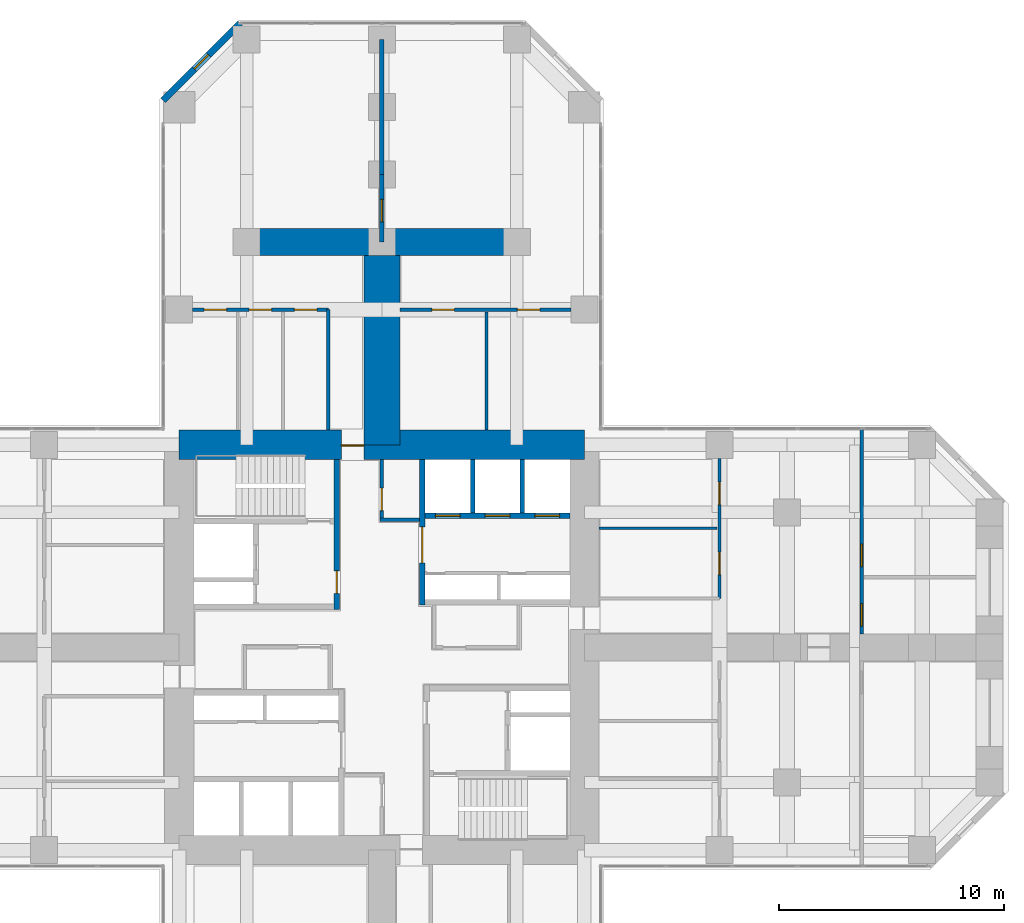
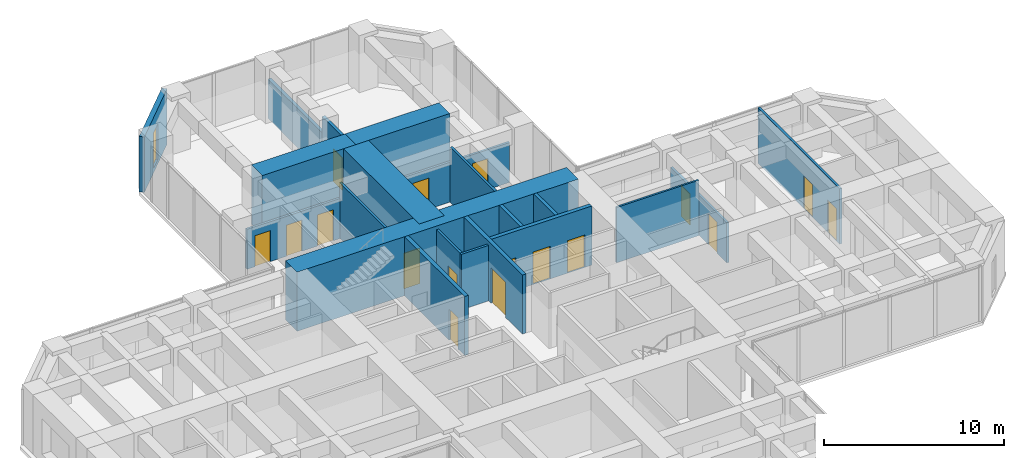
# One storey, part 11 of 13: 21 walls, 17 doors, 1 window, 18 openings.
"""IFC4 building model written with IfcOpenShell, lengths in metres."""

from ifc_helpers import new_model, si_unit, direction, frame, frame_2d, origin, place, context, subcontext, project, spatial, rectangle, hollow_rectangle, extrude, material, layer, layer_set, constituent, constituent_set, type_object, element, fill, save


model = new_model("IFC4")

# Units and contexts
model_context = context("Model", 3, precision=1e-05, world=origin(), true_north=direction((0.0, 1.0)))
body_context = subcontext(model_context, "Body", "Model", "MODEL_VIEW")
ifc_project = project(units=[si_unit("LENGTHUNIT", "METRE"), si_unit("AREAUNIT", "SQUARE_METRE"), si_unit("VOLUMEUNIT", "CUBIC_METRE"), si_unit("PLANEANGLEUNIT", "RADIAN"), si_unit("MASSUNIT", "GRAM", prefix="KILO")], contexts=[model_context])

# Site, building, storey
site_placement = place(None, origin())
site = spatial("IfcSite", under=ifc_project, at=site_placement, CompositionType="ELEMENT")
building_placement = place(site_placement, origin())
building = spatial("IfcBuilding", under=site, at=building_placement, Name="Torre Cruceta", CompositionType="ELEMENT")
storey_placement = place(building_placement, frame((0.0, 0.0, 91.5)))
storey = spatial("IfcBuildingStorey", under=building, at=storey_placement, Name="L22", CompositionType="ELEMENT", Elevation=91.5)

# Wall, opening, door
ifc_material_1 = material(Name="Concrete G60 (fck 60 MPa)", Category="concrete")
ifc_layer_1 = layer(ifc_material_1, 0.25)
ifc_layer_set_1 = layer_set([ifc_layer_1], Name="Concrete G60 (fck 60 MPa)")
wall_type_1 = type_object("IfcWallType", Name="CORE INNER WALL 250 G60", PredefinedType="SHEAR", material=ifc_layer_set_1)
wall_1_placement = place(storey_placement, frame((1.800048828125, 1.875, 0.0), z_axis=(0.0, 0.0, 1.0), x_axis=(0.0, 1.0, 0.0)))
wall_1 = element("IfcWall", 1, at=wall_1_placement, inside=storey, type_object=wall_type_1, Name="CW4 L22 NE-CU", PredefinedType="SHEAR", context=body_context, shape_type="SweptSolid", body=[
    extrude(rectangle(XDim=6.47509765625, YDim=0.25, at=frame_2d((3.237548828125, 0.0))), origin(), (0.0, 0.0, 1.0), 4.0),
])
opening_1_placement = place(wall_1_placement, frame((1.875, 0.0, 0.0)))
opening_1 = element("IfcOpeningElement", 2, at=opening_1_placement, cuts=wall_1, Name="Opening D8", PredefinedType="OPENING", context=body_context, shape_type="SweptSolid", body=[
    extrude(rectangle(XDim=1.60009765625, YDim=2.39990234375, at=frame_2d((0.800048828125, 1.199951171875))), frame((0.0, 0.135009765625, 0.0), z_axis=(0.0, -1.0, 0.0), x_axis=(1.0, 0.0, 0.0)), (0.0, 0.0, 1.0), 0.27001953125),
])
ifc_material_2 = material(Name="Steel DX51D", Category="steel")
ifc_constituent_1 = constituent(ifc_material_2, Name="Leaf and frame")
ifc_material_3 = material(Name="Polyester powder coating", Category="paint")
ifc_constituent_2 = constituent(ifc_material_3, Name="Finish")
ifc_material_4 = material(Name="Fire-resisting glass", Category="glass")
ifc_constituent_3 = constituent(ifc_material_4, Name="Vision panel")
ifc_constituent_set_1 = constituent_set(constituents=[ifc_constituent_1, ifc_constituent_2, ifc_constituent_3], Name="Steel fire door with vision panels")
door_type_1 = type_object("IfcDoorType", Name="LIFT LOBBY DOUBLE DOOR 1600X2400", OperationType="DOUBLE_DOOR_DOUBLE_SWING", PredefinedType="DOOR", material=ifc_constituent_set_1)
door_1_placement = place(opening_1_placement, origin())
door_1 = element("IfcDoor", 3, at=door_1_placement, inside=storey, type_object=door_type_1, Name="D8 L22 NE-LOBBY", OperationType="DOUBLE_DOOR_DOUBLE_SWING", OverallHeight=2.39990234375, OverallWidth=1.60009765625, PredefinedType="DOOR", context=body_context, shape_type="SweptSolid", body=[
    extrude(rectangle(XDim=1.60009765625, YDim=2.39990234375, at=frame_2d((0.800048828125, 1.199951171875))), frame((0.0, 0.02490234375, 0.0), z_axis=(0.0, -1.0, 0.0), x_axis=(1.0, 0.0, 0.0)), (0.0, 0.0, 1.0), 0.050048828125),
])
fill(opening_1, door_1)

# Wall, openings, doors
wall_2_placement = place(storey_placement, frame((1.925048828125, 5.85009765625, 0.0), z_axis=(0.0, 0.0, 1.0), x_axis=(1.0, 0.0, 0.0)))
wall_2 = element("IfcWall", 4, at=wall_2_placement, inside=storey, type_object=wall_type_1, Name="CW4 L22 NE-LV", PredefinedType="SHEAR", context=body_context, shape_type="SweptSolid", body=[
    extrude(rectangle(XDim=6.425048828125, YDim=0.25, at=frame_2d((3.21240234375, 0.0))), origin(), (0.0, 0.0, 1.0), 4.0),
])
opening_2_placement = place(wall_2_placement, frame((0.4541015625, 0.0, 0.0)))
opening_2 = element("IfcOpeningElement", 5, at=opening_2_placement, cuts=wall_2, Name="Opening LD1", PredefinedType="OPENING", context=body_context, shape_type="SweptSolid", body=[
    extrude(rectangle(XDim=1.10009765625, YDim=2.199951171875, at=frame_2d((0.550048828125, 1.10009765625))), frame((0.0, 0.135009765625, 0.0), z_axis=(0.0, -1.0, 0.0), x_axis=(1.0, 0.0, 0.0)), (0.0, 0.0, 1.0), 0.27001953125),
])
opening_3_placement = place(wall_2_placement, frame((2.66259765625, 0.0, 0.0)))
opening_3 = element("IfcOpeningElement", 6, at=opening_3_placement, cuts=wall_2, Name="Opening LD1", PredefinedType="OPENING", context=body_context, shape_type="SweptSolid", body=[
    extrude(rectangle(XDim=1.10009765625, YDim=2.199951171875, at=frame_2d((0.550048828125, 1.10009765625))), frame((0.0, 0.135009765625, 0.0), z_axis=(0.0, -1.0, 0.0), x_axis=(1.0, 0.0, 0.0)), (0.0, 0.0, 1.0), 0.27001953125),
])
opening_4_placement = place(wall_2_placement, frame((4.870849609375, 0.0, 0.0)))
opening_4 = element("IfcOpeningElement", 7, at=opening_4_placement, cuts=wall_2, Name="Opening LD1", PredefinedType="OPENING", context=body_context, shape_type="SweptSolid", body=[
    extrude(rectangle(XDim=1.10009765625, YDim=2.199951171875, at=frame_2d((0.550048828125, 1.10009765625))), frame((0.0, 0.135009765625, 0.0), z_axis=(0.0, -1.0, 0.0), x_axis=(1.0, 0.0, 0.0)), (0.0, 0.0, 1.0), 0.27001953125),
])
ifc_material_5 = material(Name="Stainless steel 1.4401", Category="steel")
door_type_2 = type_object("IfcDoorType", Name="LIFT LANDING DOOR 1100X2200", OperationType="DOUBLE_DOOR_SLIDING", PredefinedType="DOOR", material=ifc_material_5)
door_2_placement = place(opening_2_placement, origin())
door_2 = element("IfcDoor", 8, at=door_2_placement, inside=storey, type_object=door_type_2, Name="Lift landing door P1", OperationType="DOUBLE_DOOR_SLIDING", OverallHeight=2.199951171875, OverallWidth=1.10009765625, PredefinedType="DOOR", context=body_context, shape_type="SweptSolid", body=[
    extrude(rectangle(XDim=1.10009765625, YDim=2.199951171875, at=frame_2d((0.550048828125, 1.10009765625))), frame((0.0, 0.02490234375, 0.0), z_axis=(0.0, -1.0, 0.0), x_axis=(1.0, 0.0, 0.0)), (0.0, 0.0, 1.0), 0.050048828125),
])
fill(opening_2, door_2)
door_3_placement = place(opening_3_placement, origin())
door_3 = element("IfcDoor", 9, at=door_3_placement, inside=storey, type_object=door_type_2, Name="Lift landing door P2", OperationType="DOUBLE_DOOR_SLIDING", OverallHeight=2.199951171875, OverallWidth=1.10009765625, PredefinedType="DOOR", context=body_context, shape_type="SweptSolid", body=[
    extrude(rectangle(XDim=1.10009765625, YDim=2.199951171875, at=frame_2d((0.550048828125, 1.10009765625))), frame((0.0, 0.02490234375, 0.0), z_axis=(0.0, -1.0, 0.0), x_axis=(1.0, 0.0, 0.0)), (0.0, 0.0, 1.0), 0.050048828125),
])
fill(opening_3, door_3)
door_4_placement = place(opening_4_placement, origin())
door_4 = element("IfcDoor", 10, at=door_4_placement, inside=storey, type_object=door_type_2, Name="Lift landing door P3", OperationType="DOUBLE_DOOR_SLIDING", OverallHeight=2.199951171875, OverallWidth=1.10009765625, PredefinedType="DOOR", context=body_context, shape_type="SweptSolid", body=[
    extrude(rectangle(XDim=1.10009765625, YDim=2.199951171875, at=frame_2d((0.550048828125, 1.10009765625))), frame((0.0, 0.02490234375, 0.0), z_axis=(0.0, -1.0, 0.0), x_axis=(1.0, 0.0, 0.0)), (0.0, 0.0, 1.0), 0.050048828125),
])
fill(opening_4, door_4)

# Wall, opening, door
wall_3_placement = place(storey_placement, frame((-2.0, 1.675048828125, 0.0), z_axis=(0.0, 0.0, 1.0), x_axis=(0.0, 1.0, 0.0)))
wall_3 = element("IfcWall", 11, at=wall_3_placement, inside=storey, type_object=wall_type_1, Name="CW4 L22 NW-CU", PredefinedType="SHEAR", context=body_context, shape_type="SweptSolid", body=[
    extrude(rectangle(XDim=6.675048828125, YDim=0.25, at=frame_2d((3.33740234375, 0.0))), origin(), (0.0, 0.0, 1.0), 4.0),
])
opening_5_placement = place(wall_3_placement, frame((0.72509765625, 0.0, 0.0)))
opening_5 = element("IfcOpeningElement", 12, at=opening_5_placement, cuts=wall_3, Name="Opening D3", PredefinedType="OPENING", context=body_context, shape_type="SweptSolid", body=[
    extrude(rectangle(XDim=1.0, YDim=2.10009765625, at=frame_2d((0.5, 1.050048828125))), frame((0.0, 0.135009765625, 0.0), z_axis=(0.0, -1.0, 0.0), x_axis=(1.0, 0.0, 0.0)), (0.0, 0.0, 1.0), 0.27001953125),
])
ifc_material_6 = material(Name="Steel DX51D", Category="steel")
ifc_constituent_4 = constituent(ifc_material_6, Name="Leaf and frame")
ifc_material_7 = material(Name="Polyester powder coating", Category="paint")
ifc_constituent_5 = constituent(ifc_material_7, Name="Finish")
ifc_constituent_set_2 = constituent_set(constituents=[ifc_constituent_4, ifc_constituent_5], Name="Steel fire door")
door_type_3 = type_object("IfcDoorType", Name="FIRE DOOR 1000X2100", OperationType="SINGLE_SWING_LEFT", PredefinedType="DOOR", material=ifc_constituent_set_2)
door_5_placement = place(opening_5_placement, origin())
door_5 = element("IfcDoor", 13, at=door_5_placement, inside=storey, type_object=door_type_3, Name="D3 L22 NW-LOBBY", OperationType="SINGLE_SWING_LEFT", OverallHeight=2.10009765625, OverallWidth=1.0, PredefinedType="DOOR", context=body_context, shape_type="SweptSolid", body=[
    extrude(rectangle(XDim=1.0, YDim=2.10009765625, at=frame_2d((0.5, 1.050048828125))), frame((0.0, 0.02490234375, 0.0), z_axis=(0.0, -1.0, 0.0), x_axis=(1.0, 0.0, 0.0)), (0.0, 0.0, 1.0), 0.050048828125),
])
fill(opening_5, door_5)

ifc_material_8 = material(Name="Concrete G60 (fck 60 MPa)", Category="concrete")
ifc_layer_2 = layer(ifc_material_8, 1.300048828125)
ifc_layer_set_2 = layer_set([ifc_layer_2], Name="Concrete G60 (fck 60 MPa)")
wall_type_2 = type_object("IfcWallType", Name="CORE WALL 1300 G60", PredefinedType="SHEAR", material=ifc_layer_set_2)
wall_4_placement = place(storey_placement, frame((9.0, 9.0, 0.0), z_axis=(0.0, 0.0, 1.0), x_axis=(-1.0, 0.0, 0.0)))
wall_4 = element("IfcWall", 14, at=wall_4_placement, inside=storey, type_object=wall_type_2, Name="CW1 L22 CW-N", PredefinedType="SHEAR", context=body_context, shape_type="SweptSolid", body=[
    extrude(rectangle(XDim=18.0, YDim=1.300048828125, at=frame_2d((9.0, 0.0))), origin(), (0.0, 0.0, 1.0), 4.0),
])
opening_6_placement = place(wall_4_placement, frame((9.800048828125, 0.0, 0.0)))
opening_6 = element("IfcOpeningElement", 15, at=opening_6_placement, cuts=wall_4, Name="Opening D4", PredefinedType="OPENING", context=body_context, shape_type="SweptSolid", body=[
    extrude(rectangle(XDim=1.0, YDim=2.39990234375, at=frame_2d((0.5, 1.199951171875))), frame((0.0, 0.659912109375, 0.0), z_axis=(0.0, -1.0, 0.0), x_axis=(1.0, 0.0, 0.0)), (0.0, 0.0, 1.0), 1.320068359375),
])
ifc_material_9 = material(Name="Steel DX51D", Category="steel")
ifc_constituent_6 = constituent(ifc_material_9, Name="Leaf and frame")
ifc_material_10 = material(Name="Polyester powder coating", Category="paint")
ifc_constituent_7 = constituent(ifc_material_10, Name="Finish")
ifc_constituent_set_3 = constituent_set(constituents=[ifc_constituent_6, ifc_constituent_7], Name="Steel fire door")
door_type_4 = type_object("IfcDoorType", Name="CORE ARM DOOR 1000X2400", OperationType="SINGLE_SWING_RIGHT", PredefinedType="DOOR", material=ifc_constituent_set_3)
door_6_placement = place(opening_6_placement, frame((1.0, 0.0, 0.0), z_axis=(0.0, 0.0, 1.0), x_axis=(-1.0, 0.0, 0.0)))
door_6 = element("IfcDoor", 16, at=door_6_placement, inside=storey, type_object=door_type_4, Name="D4 L22 CW-N", OperationType="SINGLE_SWING_RIGHT", OverallHeight=2.39990234375, OverallWidth=1.0, PredefinedType="DOOR", context=body_context, shape_type="SweptSolid", body=[
    extrude(rectangle(XDim=1.0, YDim=2.39990234375, at=frame_2d((0.5, 1.199951171875))), frame((0.0, -0.005126953125, 0.0), z_axis=(0.0, -1.0, 0.0), x_axis=(1.0, 0.0, 0.0)), (0.0, 0.0, 1.0), 0.050048828125),
])
fill(opening_6, door_6)

ifc_material_11 = material(Name="Concrete G25 (fck 25 MPa)", Category="concrete")
ifc_layer_3 = layer(ifc_material_11, 0.199951171875)
ifc_layer_set_3 = layer_set([ifc_layer_3], Name="Concrete G25 (fck 25 MPa)")
wall_type_3 = type_object("IfcWallType", Name="CORRIDOR WALL 200", PredefinedType="SOLIDWALL", material=ifc_layer_set_3)
wall_5_placement = place(storey_placement, frame((0.0, 18.0, 0.0), z_axis=(0.0, 0.0, 1.0), x_axis=(0.0, 1.0, 0.0)))
wall_5 = element("IfcWall", 17, at=wall_5_placement, inside=storey, type_object=wall_type_3, Name="PT3 spine line L22 N", PredefinedType="SOLIDWALL", context=body_context, shape_type="SweptSolid", body=[
    extrude(rectangle(XDim=3.0, YDim=0.199951171875, at=frame_2d((1.5, 0.0))), origin(), (0.0, 0.0, 1.0), 3.75),
])
opening_7_placement = place(wall_5_placement, frame((0.89990234375, 0.0, 0.0)))
opening_7 = element("IfcOpeningElement", 18, at=opening_7_placement, cuts=wall_5, Name="Opening D14", PredefinedType="OPENING", context=body_context, shape_type="SweptSolid", body=[
    extrude(rectangle(XDim=1.0, YDim=2.199951171875, at=frame_2d((0.5, 1.10009765625))), frame((0.0, 0.10986328125, 0.0), z_axis=(0.0, -1.0, 0.0), x_axis=(1.0, 0.0, 0.0)), (0.0, 0.0, 1.0), 0.219970703125),
])
ifc_material_12 = material(Name="Steel DX51D", Category="steel")
ifc_constituent_8 = constituent(ifc_material_12, Name="Leaf and frame")
ifc_material_13 = material(Name="Polyester powder coating", Category="paint")
ifc_constituent_9 = constituent(ifc_material_13, Name="Finish")
ifc_material_14 = material(Name="Fire-resisting glass", Category="glass")
ifc_constituent_10 = constituent(ifc_material_14, Name="Vision panel")
ifc_constituent_set_4 = constituent_set(constituents=[ifc_constituent_8, ifc_constituent_9, ifc_constituent_10], Name="Steel fire door with vision panel")
door_type_5 = type_object("IfcDoorType", Name="FIRE DOOR VISION PANEL 1000X2200", OperationType="SINGLE_SWING_RIGHT", PredefinedType="DOOR", material=ifc_constituent_set_4)
door_7_placement = place(opening_7_placement, frame((1.0, 0.0, 0.0), z_axis=(0.0, 0.0, 1.0), x_axis=(-1.0, 0.0, 0.0)))
door_7 = element("IfcDoor", 19, at=door_7_placement, inside=storey, type_object=door_type_5, Name="D14 L22-N-SP1", OperationType="SINGLE_SWING_RIGHT", OverallHeight=2.199951171875, OverallWidth=1.0, PredefinedType="DOOR", context=body_context, shape_type="SweptSolid", body=[
    extrude(rectangle(XDim=1.0, YDim=2.199951171875, at=frame_2d((0.5, 1.10009765625))), frame((0.0, 0.025146484375, 0.0), z_axis=(0.0, -1.0, 0.0), x_axis=(1.0, 0.0, 0.0)), (0.0, 0.0, 1.0), 0.050048828125),
])
fill(opening_7, door_7)

# Walls
wall_6_placement = place(storey_placement, frame((0.0, 21.0, 0.0), z_axis=(0.0, 0.0, 1.0), x_axis=(0.0, 1.0, 0.0)))
element("IfcWall", 20, at=wall_6_placement, inside=storey, type_object=wall_type_3, Name="PT3 spine line L22 N 2", PredefinedType="SOLIDWALL", context=body_context, shape_type="SweptSolid", body=[
    extrude(rectangle(XDim=6.0, YDim=0.199951171875, at=frame_2d((3.0, 0.0))), origin(), (0.0, 0.0, 1.0), 2.64990234375),
])
ifc_material_15 = material(Name="Concrete G60 (fck 60 MPa)", Category="concrete")
ifc_layer_4 = layer(ifc_material_15, 1.199951171875)
ifc_layer_set_4 = layer_set([ifc_layer_4], Name="Concrete G60 (fck 60 MPa)")
wall_type_4 = type_object("IfcWallType", Name="CROSS WALL 1200 G60", PredefinedType="SHEAR", material=ifc_layer_set_4)
for number, where, z_axis, x_axis, name in (
    (21, (0.0, 18.0, 0.0), (0.0, 0.0, 1.0), (-1.0, 0.0, 0.0), "XW1 cross wall L22 N L"),
    (22, (0.0, 18.0, 0.0), (0.0, 0.0, 1.0), (1.0, 0.0, 0.0), "XW1 cross wall L22 N R"),
):
    element("IfcWall", number, at=place(storey_placement, frame(where, z_axis=z_axis, x_axis=x_axis)), inside=storey, type_object=wall_type_4, Name=name, PredefinedType="SHEAR", context=body_context, shape_type="SweptSolid", body=[
        extrude(rectangle(XDim=6.0, YDim=1.199951171875, at=frame_2d((3.0, 0.0))), origin(), (0.0, 0.0, 1.0), 4.0),
    ])

# Wall, opening, window
ifc_material_16 = material(Name="Concrete G30 (fck 30 MPa)", Category="concrete")
ifc_layer_5 = layer(ifc_material_16, 0.300048828125)
ifc_layer_set_5 = layer_set([ifc_layer_5], Name="Concrete G30 (fck 30 MPa)")
wall_type_5 = type_object("IfcWallType", Name="EXPOSED CONCRETE FACADE WALL 300", PredefinedType="SOLIDWALL", material=ifc_layer_set_5)
wall_7_placement = place(storey_placement, frame((-6.29833984375, 27.719970703125, 0.0), z_axis=(0.0, 0.0, 1.0), x_axis=(-0.707106781187, -0.707106781187, 0.0)))
wall_7 = element("IfcWall", 23, at=wall_7_placement, inside=storey, type_object=wall_type_5, Name="EW1 facade wall L22 N chamfer 08", PredefinedType="SOLIDWALL", context=body_context, shape_type="SweptSolid", body=[
    extrude(rectangle(XDim=4.8388671875, YDim=0.300048828125, at=frame_2d((2.41943359375, 0.0))), origin(), (0.0, 0.0, 1.0), 3.75),
])
opening_8_placement = place(wall_7_placement, frame((1.969482421875, 0.0, 0.300048828125)))
opening_8 = element("IfcOpeningElement", 24, at=opening_8_placement, cuts=wall_7, Name="Opening WN5", PredefinedType="OPENING", context=body_context, shape_type="SweptSolid", body=[
    extrude(rectangle(XDim=0.89990234375, YDim=2.39990234375, at=frame_2d((0.449951171875, 1.199951171875))), frame((0.0, 0.159912109375, 0.0), z_axis=(0.0, -1.0, 0.0), x_axis=(1.0, 0.0, 0.0)), (0.0, 0.0, 1.0), 0.320068359375),
])
ifc_material_17 = material(Name="Aluminium window frame", Category="aluminium")
ifc_constituent_11 = constituent(ifc_material_17, Name="Frame")
ifc_material_18 = material(Name="Laminated insulating glass unit, low-iron clear", Category="glass")
ifc_constituent_12 = constituent(ifc_material_18, Name="Glazing")
ifc_constituent_set_5 = constituent_set(constituents=[ifc_constituent_11, ifc_constituent_12], Name="Aluminium window")
window_type = type_object("IfcWindowType", Name="CHAMFER SLOT WINDOW 900X2400", PartitioningType="SINGLE_PANEL", PredefinedType="WINDOW", material=ifc_constituent_set_5)
window_placement = place(opening_8_placement, origin())
window = element("IfcWindow", 25, at=window_placement, inside=storey, type_object=window_type, Name="WN5 L22 N 1", OverallHeight=2.39990234375, OverallWidth=0.89990234375, PartitioningType="SINGLE_PANEL", PredefinedType="WINDOW", context=body_context, shape_type="SweptSolid", body=[
    extrude(hollow_rectangle(XDim=0.89990234375, YDim=2.39990234375, WallThickness=0.06005859375, at=frame_2d((0.449951171875, 1.199951171875))), frame((0.0, 0.030029296875, 0.0), z_axis=(0.0, -1.0, 0.0), x_axis=(1.0, 0.0, 0.0)), (0.0, 0.0, 1.0), 0.06005859375),
    extrude(rectangle(XDim=0.77880859375, YDim=2.27880859375, at=frame_2d((0.449951171875, 1.199951171875))), frame((0.0, 0.030029296875, 0.0), z_axis=(0.0, -1.0, 0.0), x_axis=(1.0, 0.0, 0.0)), (0.0, 0.0, 1.0), 0.06005859375),
])
fill(opening_8, window)

# Walls
ifc_material_19 = material(Name="Concrete G35 (fck 35 MPa)", Category="concrete")
ifc_layer_6 = layer(ifc_material_19, 0.199951171875)
ifc_layer_set_6 = layer_set([ifc_layer_6], Name="Concrete G35 (fck 35 MPa)")
wall_type_6 = type_object("IfcWallType", Name="LIFT SHAFT WALL 200", PredefinedType="PARTITIONING", material=ifc_layer_set_6)
for number, where, z_axis, x_axis, name in (
    (26, (4.033447265625, 5.97509765625, 0.0), (0.0, 0.0, 1.0), (0.0, 1.0, 0.0), "SW1 L22 NE-LS1"),
    (27, (6.24169921875, 5.97509765625, 0.0), (0.0, 0.0, 1.0), (0.0, 1.0, 0.0), "SW1 L22 NE-LS2"),
):
    element("IfcWall", number, at=place(storey_placement, frame(where, z_axis=z_axis, x_axis=x_axis)), inside=storey, type_object=wall_type_6, Name=name, PredefinedType="PARTITIONING", context=body_context, shape_type="SweptSolid", body=[
        extrude(rectangle(XDim=2.375, YDim=0.199951171875, at=frame_2d((1.1875, 0.0))), origin(), (0.0, 0.0, 1.0), 4.0),
    ])

# Wall, opening, door
ifc_material_20 = material(Name="Plasterboard on steel studs", Category="steel")
ifc_layer_7 = layer(ifc_material_20, 0.14990234375)
ifc_layer_set_7 = layer_set([ifc_layer_7], Name="Plasterboard on steel studs")
wall_type_7 = type_object("IfcWallType", Name="PARTITION 150", PredefinedType="PARTITIONING", material=ifc_layer_set_7)
wall_8_placement = place(storey_placement, frame((0.0, 5.675048828125, 0.0), z_axis=(0.0, 0.0, 1.0), x_axis=(0.0, 1.0, 0.0)))
wall_8 = element("IfcWall", 28, at=wall_8_placement, inside=storey, type_object=wall_type_7, Name="PT1 L22-CORE-LEGN-E-W1", PredefinedType="PARTITIONING", context=body_context, shape_type="SweptSolid", body=[
    extrude(rectangle(XDim=2.675048828125, YDim=0.14990234375, at=frame_2d((1.33740234375, 0.0))), origin(), (0.0, 0.0, 1.0), 3.75),
])
opening_9_placement = place(wall_8_placement, frame((0.39990234375, 0.0, 0.0)))
opening_9 = element("IfcOpeningElement", 29, at=opening_9_placement, cuts=wall_8, Name="Opening D3", PredefinedType="OPENING", context=body_context, shape_type="SweptSolid", body=[
    extrude(rectangle(XDim=1.0, YDim=2.10009765625, at=frame_2d((0.5, 1.050048828125))), frame((0.0, 0.0849609375, 0.0), z_axis=(0.0, -1.0, 0.0), x_axis=(1.0, 0.0, 0.0)), (0.0, 0.0, 1.0), 0.169921875),
])
door_8_placement = place(opening_9_placement, frame((1.0, 0.0, 0.0), z_axis=(0.0, 0.0, 1.0), x_axis=(-1.0, 0.0, 0.0)))
door_8 = element("IfcDoor", 30, at=door_8_placement, inside=storey, type_object=door_type_3, Name="D3 L22-CORE-LEGN-E-W1-D1", OperationType="SINGLE_SWING_RIGHT", OverallHeight=2.10009765625, OverallWidth=1.0, PredefinedType="DOOR", context=body_context, shape_type="SweptSolid", body=[
    extrude(rectangle(XDim=1.0, YDim=2.10009765625, at=frame_2d((0.5, 1.050048828125))), frame((0.0, 0.025146484375, 0.0), z_axis=(0.0, -1.0, 0.0), x_axis=(1.0, 0.0, 0.0)), (0.0, 0.0, 1.0), 0.050048828125),
])
fill(opening_9, door_8)

# Wall
wall_9_placement = place(storey_placement, frame((1.675048828125, 5.675048828125, 0.0), z_axis=(0.0, 0.0, 1.0), x_axis=(-1.0, 0.0, 0.0)))
element("IfcWall", 31, at=wall_9_placement, inside=storey, type_object=wall_type_7, Name="PT1 L22-CORE-LEGN-E-W2", PredefinedType="PARTITIONING", context=body_context, shape_type="SweptSolid", body=[
    extrude(rectangle(XDim=1.75, YDim=0.14990234375, at=frame_2d((0.875, 0.0))), origin(), (0.0, 0.0, 1.0), 3.75),
])

# Wall, openings, doors
wall_10_placement = place(storey_placement, frame((-2.375, 15.0, 0.0), z_axis=(0.0, 0.0, 1.0), x_axis=(-1.0, 0.0, 0.0)))
wall_10 = element("IfcWall", 32, at=wall_10_placement, inside=storey, type_object=wall_type_7, Name="PT1 L22-N-BFL", PredefinedType="PARTITIONING", context=body_context, shape_type="SweptSolid", body=[
    extrude(rectangle(XDim=6.02490234375, YDim=0.14990234375, at=frame_2d((3.012451171875, 0.0))), origin(), (0.0, 0.0, 1.0), 2.699951171875),
])
opening_10_placement = place(wall_10_placement, frame((0.504150390625, 0.0, 0.0)))
opening_10 = element("IfcOpeningElement", 33, at=opening_10_placement, cuts=wall_10, Name="Opening D3", PredefinedType="OPENING", context=body_context, shape_type="SweptSolid", body=[
    extrude(rectangle(XDim=1.0, YDim=2.10009765625, at=frame_2d((0.5, 1.050048828125))), frame((0.0, 0.0849609375, 0.0), z_axis=(0.0, -1.0, 0.0), x_axis=(1.0, 0.0, 0.0)), (0.0, 0.0, 1.0), 0.169921875),
])
opening_11_placement = place(wall_10_placement, frame((2.512451171875, 0.0, 0.0)))
opening_11 = element("IfcOpeningElement", 34, at=opening_11_placement, cuts=wall_10, Name="Opening D3", PredefinedType="OPENING", context=body_context, shape_type="SweptSolid", body=[
    extrude(rectangle(XDim=1.0, YDim=2.10009765625, at=frame_2d((0.5, 1.050048828125))), frame((0.0, 0.0849609375, 0.0), z_axis=(0.0, -1.0, 0.0), x_axis=(1.0, 0.0, 0.0)), (0.0, 0.0, 1.0), 0.169921875),
])
opening_12_placement = place(wall_10_placement, frame((4.520751953125, 0.0, 0.0)))
opening_12 = element("IfcOpeningElement", 35, at=opening_12_placement, cuts=wall_10, Name="Opening D3", PredefinedType="OPENING", context=body_context, shape_type="SweptSolid", body=[
    extrude(rectangle(XDim=1.0, YDim=2.10009765625, at=frame_2d((0.5, 1.050048828125))), frame((0.0, 0.0849609375, 0.0), z_axis=(0.0, -1.0, 0.0), x_axis=(1.0, 0.0, 0.0)), (0.0, 0.0, 1.0), 0.169921875),
])
door_9_placement = place(opening_10_placement, origin())
door_9 = element("IfcDoor", 36, at=door_9_placement, inside=storey, type_object=door_type_3, Name="D3 L22-N-BFL-D1", OperationType="SINGLE_SWING_LEFT", OverallHeight=2.10009765625, OverallWidth=1.0, PredefinedType="DOOR", context=body_context, shape_type="SweptSolid", body=[
    extrude(rectangle(XDim=1.0, YDim=2.10009765625, at=frame_2d((0.5, 1.050048828125))), frame((0.0, 0.02490234375, 0.0), z_axis=(0.0, -1.0, 0.0), x_axis=(1.0, 0.0, 0.0)), (0.0, 0.0, 1.0), 0.050048828125),
])
fill(opening_10, door_9)
door_10_placement = place(opening_11_placement, origin())
door_10 = element("IfcDoor", 37, at=door_10_placement, inside=storey, type_object=door_type_3, Name="D3 L22-N-BFL-D2", OperationType="SINGLE_SWING_LEFT", OverallHeight=2.10009765625, OverallWidth=1.0, PredefinedType="DOOR", context=body_context, shape_type="SweptSolid", body=[
    extrude(rectangle(XDim=1.0, YDim=2.10009765625, at=frame_2d((0.5, 1.050048828125))), frame((0.0, 0.02490234375, 0.0), z_axis=(0.0, -1.0, 0.0), x_axis=(1.0, 0.0, 0.0)), (0.0, 0.0, 1.0), 0.050048828125),
])
fill(opening_11, door_10)
door_11_placement = place(opening_12_placement, origin())
door_11 = element("IfcDoor", 38, at=door_11_placement, inside=storey, type_object=door_type_3, Name="D3 L22-N-BFL-D3", OperationType="SINGLE_SWING_LEFT", OverallHeight=2.10009765625, OverallWidth=1.0, PredefinedType="DOOR", context=body_context, shape_type="SweptSolid", body=[
    extrude(rectangle(XDim=1.0, YDim=2.10009765625, at=frame_2d((0.5, 1.050048828125))), frame((0.0, 0.02490234375, 0.0), z_axis=(0.0, -1.0, 0.0), x_axis=(1.0, 0.0, 0.0)), (0.0, 0.0, 1.0), 0.050048828125),
])
fill(opening_12, door_11)

# Wall
wall_11_placement = place(storey_placement, frame((-2.375, 9.64990234375, 0.0), z_axis=(0.0, 0.0, 1.0), x_axis=(0.0, 1.0, 0.0)))
element("IfcWall", 39, at=wall_11_placement, inside=storey, type_object=wall_type_7, Name="PT1 L22-N-BSL", PredefinedType="PARTITIONING", context=body_context, shape_type="SweptSolid", body=[
    extrude(rectangle(XDim=5.35009765625, YDim=0.14990234375, at=frame_2d((2.675048828125, 0.0))), origin(), (0.0, 0.0, 1.0), 3.75),
])

# Wall, openings, doors
wall_12_placement = place(storey_placement, frame((8.39990234375, 15.0, 0.0), z_axis=(0.0, 0.0, 1.0), x_axis=(-1.0, 0.0, 0.0)))
wall_12 = element("IfcWall", 40, at=wall_12_placement, inside=storey, type_object=wall_type_7, Name="PT1 L22-N-BFR", PredefinedType="PARTITIONING", context=body_context, shape_type="SweptSolid", body=[
    extrude(rectangle(XDim=7.599853515625, YDim=0.14990234375, at=frame_2d((3.7998046875, 0.0))), origin(), (0.0, 0.0, 1.0), 2.699951171875),
])
opening_13_placement = place(wall_12_placement, frame((1.375, 0.0, 0.0)))
opening_13 = element("IfcOpeningElement", 41, at=opening_13_placement, cuts=wall_12, Name="Opening D3", PredefinedType="OPENING", context=body_context, shape_type="SweptSolid", body=[
    extrude(rectangle(XDim=1.0, YDim=2.10009765625, at=frame_2d((0.5, 1.050048828125))), frame((0.0, 0.0849609375, 0.0), z_axis=(0.0, -1.0, 0.0), x_axis=(1.0, 0.0, 0.0)), (0.0, 0.0, 1.0), 0.169921875),
])
opening_14_placement = place(wall_12_placement, frame((5.175048828125, 0.0, 0.0)))
opening_14 = element("IfcOpeningElement", 42, at=opening_14_placement, cuts=wall_12, Name="Opening D3", PredefinedType="OPENING", context=body_context, shape_type="SweptSolid", body=[
    extrude(rectangle(XDim=1.0, YDim=2.10009765625, at=frame_2d((0.5, 1.050048828125))), frame((0.0, 0.0849609375, 0.0), z_axis=(0.0, -1.0, 0.0), x_axis=(1.0, 0.0, 0.0)), (0.0, 0.0, 1.0), 0.169921875),
])
door_12_placement = place(opening_13_placement, origin())
door_12 = element("IfcDoor", 43, at=door_12_placement, inside=storey, type_object=door_type_3, Name="D3 L22-N-BFR-D1", OperationType="SINGLE_SWING_RIGHT", OverallHeight=2.10009765625, OverallWidth=1.0, PredefinedType="DOOR", context=body_context, shape_type="SweptSolid", body=[
    extrude(rectangle(XDim=1.0, YDim=2.10009765625, at=frame_2d((0.5, 1.050048828125))), frame((0.0, 0.02490234375, 0.0), z_axis=(0.0, -1.0, 0.0), x_axis=(1.0, 0.0, 0.0)), (0.0, 0.0, 1.0), 0.050048828125),
])
fill(opening_13, door_12)
door_13_placement = place(opening_14_placement, origin())
door_13 = element("IfcDoor", 44, at=door_13_placement, inside=storey, type_object=door_type_3, Name="D3 L22-N-BFR-D2", OperationType="SINGLE_SWING_LEFT", OverallHeight=2.10009765625, OverallWidth=1.0, PredefinedType="DOOR", context=body_context, shape_type="SweptSolid", body=[
    extrude(rectangle(XDim=1.0, YDim=2.10009765625, at=frame_2d((0.5, 1.050048828125))), frame((0.0, 0.02490234375, 0.0), z_axis=(0.0, -1.0, 0.0), x_axis=(1.0, 0.0, 0.0)), (0.0, 0.0, 1.0), 0.050048828125),
])
fill(opening_14, door_13)

# Wall
wall_13_placement = place(storey_placement, frame((4.64990234375, 9.64990234375, 0.0), z_axis=(0.0, 0.0, 1.0), x_axis=(0.0, 1.0, 0.0)))
element("IfcWall", 45, at=wall_13_placement, inside=storey, type_object=wall_type_7, Name="PT1 L22-N-BDR1", PredefinedType="PARTITIONING", context=body_context, shape_type="SweptSolid", body=[
    extrude(rectangle(XDim=5.25, YDim=0.14990234375, at=frame_2d((2.625, 0.0))), origin(), (0.0, 0.0, 1.0), 3.75),
])

# Wall, openings, doors
wall_14_placement = place(storey_placement, frame((15.0, 2.175048828125, 0.0), z_axis=(0.0, 0.0, 1.0), x_axis=(0.0, 1.0, 0.0)))
wall_14 = element("IfcWall", 46, at=wall_14_placement, inside=storey, type_object=wall_type_7, Name="PT1 L22-E-BFL", PredefinedType="PARTITIONING", context=body_context, shape_type="SweptSolid", body=[
    extrude(rectangle(XDim=6.224853515625, YDim=0.14990234375, at=frame_2d((3.1123046875, 0.0))), origin(), (0.0, 0.0, 1.0), 2.699951171875),
])
opening_15_placement = place(wall_14_placement, frame((1.05615234375, 0.0, 0.0)))
opening_15 = element("IfcOpeningElement", 47, at=opening_15_placement, cuts=wall_14, Name="Opening D3", PredefinedType="OPENING", context=body_context, shape_type="SweptSolid", body=[
    extrude(rectangle(XDim=1.0, YDim=2.10009765625, at=frame_2d((0.5, 1.050048828125))), frame((0.0, 0.0849609375, 0.0), z_axis=(0.0, -1.0, 0.0), x_axis=(1.0, 0.0, 0.0)), (0.0, 0.0, 1.0), 0.169921875),
])
opening_16_placement = place(wall_14_placement, frame((4.168701171875, 0.0, 0.0)))
opening_16 = element("IfcOpeningElement", 48, at=opening_16_placement, cuts=wall_14, Name="Opening D3", PredefinedType="OPENING", context=body_context, shape_type="SweptSolid", body=[
    extrude(rectangle(XDim=1.0, YDim=2.10009765625, at=frame_2d((0.5, 1.050048828125))), frame((0.0, 0.0849609375, 0.0), z_axis=(0.0, -1.0, 0.0), x_axis=(1.0, 0.0, 0.0)), (0.0, 0.0, 1.0), 0.169921875),
])
door_14_placement = place(opening_15_placement, origin())
door_14 = element("IfcDoor", 49, at=door_14_placement, inside=storey, type_object=door_type_3, Name="D3 L22-E-BFL-D1", OperationType="SINGLE_SWING_LEFT", OverallHeight=2.10009765625, OverallWidth=1.0, PredefinedType="DOOR", context=body_context, shape_type="SweptSolid", body=[
    extrude(rectangle(XDim=1.0, YDim=2.10009765625, at=frame_2d((0.5, 1.050048828125))), frame((0.0, 0.02490234375, 0.0), z_axis=(0.0, -1.0, 0.0), x_axis=(1.0, 0.0, 0.0)), (0.0, 0.0, 1.0), 0.050048828125),
])
fill(opening_15, door_14)
door_15_placement = place(opening_16_placement, origin())
door_15 = element("IfcDoor", 50, at=door_15_placement, inside=storey, type_object=door_type_3, Name="D3 L22-E-BFL-D2", OperationType="SINGLE_SWING_LEFT", OverallHeight=2.10009765625, OverallWidth=1.0, PredefinedType="DOOR", context=body_context, shape_type="SweptSolid", body=[
    extrude(rectangle(XDim=1.0, YDim=2.10009765625, at=frame_2d((0.5, 1.050048828125))), frame((0.0, 0.02490234375, 0.0), z_axis=(0.0, -1.0, 0.0), x_axis=(1.0, 0.0, 0.0)), (0.0, 0.0, 1.0), 0.050048828125),
])
fill(opening_16, door_15)

wall_15_placement = place(storey_placement, frame((21.320068359375, 0.60009765625, 0.0), z_axis=(0.0, 0.0, 1.0), x_axis=(0.0, 1.0, 0.0)))
wall_15 = element("IfcWall", 51, at=wall_15_placement, inside=storey, type_object=wall_type_7, Name="PT1 L22-E-TWL", PredefinedType="PARTITIONING", context=body_context, shape_type="SweptSolid", body=[
    extrude(rectangle(XDim=9.079833984375, YDim=0.14990234375, at=frame_2d((4.5400390625, 0.0))), origin(), (0.0, 0.0, 1.0), 3.75),
])
opening_17_placement = place(wall_15_placement, frame((0.35009765625, 0.0, 0.0)))
opening_17 = element("IfcOpeningElement", 52, at=opening_17_placement, cuts=wall_15, Name="Opening D14", PredefinedType="OPENING", context=body_context, shape_type="SweptSolid", body=[
    extrude(rectangle(XDim=1.0, YDim=2.199951171875, at=frame_2d((0.5, 1.10009765625))), frame((0.0, 0.0849609375, 0.0), z_axis=(0.0, -1.0, 0.0), x_axis=(1.0, 0.0, 0.0)), (0.0, 0.0, 1.0), 0.169921875),
])
opening_18_placement = place(wall_15_placement, frame((2.992919921875, 0.0, 0.0)))
opening_18 = element("IfcOpeningElement", 53, at=opening_18_placement, cuts=wall_15, Name="Opening D14", PredefinedType="OPENING", context=body_context, shape_type="SweptSolid", body=[
    extrude(rectangle(XDim=1.0, YDim=2.199951171875, at=frame_2d((0.5, 1.10009765625))), frame((0.0, 0.0849609375, 0.0), z_axis=(0.0, -1.0, 0.0), x_axis=(1.0, 0.0, 0.0)), (0.0, 0.0, 1.0), 0.169921875),
])
door_16_placement = place(opening_17_placement, frame((1.0, 0.0, 0.0), z_axis=(0.0, 0.0, 1.0), x_axis=(-1.0, 0.0, 0.0)))
door_16 = element("IfcDoor", 54, at=door_16_placement, inside=storey, type_object=door_type_5, Name="D14 L22-E-TWL-D1", OperationType="SINGLE_SWING_RIGHT", OverallHeight=2.199951171875, OverallWidth=1.0, PredefinedType="DOOR", context=body_context, shape_type="SweptSolid", body=[
    extrude(rectangle(XDim=1.0, YDim=2.199951171875, at=frame_2d((0.5, 1.10009765625))), frame((0.0, 0.025146484375, 0.0), z_axis=(0.0, -1.0, 0.0), x_axis=(1.0, 0.0, 0.0)), (0.0, 0.0, 1.0), 0.050048828125),
])
fill(opening_17, door_16)
door_17_placement = place(opening_18_placement, frame((1.0, 0.0, 0.0), z_axis=(0.0, 0.0, 1.0), x_axis=(-1.0, 0.0, 0.0)))
door_17 = element("IfcDoor", 55, at=door_17_placement, inside=storey, type_object=door_type_5, Name="D14 L22-E-TWL-D2", OperationType="SINGLE_SWING_RIGHT", OverallHeight=2.199951171875, OverallWidth=1.0, PredefinedType="DOOR", context=body_context, shape_type="SweptSolid", body=[
    extrude(rectangle(XDim=1.0, YDim=2.199951171875, at=frame_2d((0.5, 1.10009765625))), frame((0.0, 0.025146484375, 0.0), z_axis=(0.0, -1.0, 0.0), x_axis=(1.0, 0.0, 0.0)), (0.0, 0.0, 1.0), 0.050048828125),
])
fill(opening_18, door_17)

# Walls
ifc_material_21 = material(Name="Concrete G60 (fck 60 MPa)", Category="concrete")
ifc_layer_8 = layer(ifc_material_21, 1.60009765625)
ifc_layer_set_8 = layer_set([ifc_layer_8], Name="Concrete G60 (fck 60 MPa)")
wall_type_8 = type_object("IfcWallType", Name="SPINE WALL 1600 G60", PredefinedType="SHEAR", material=ifc_layer_set_8)
wall_16_placement = place(storey_placement, frame((0.0, 9.0, 0.0), z_axis=(0.0, 0.0, 1.0), x_axis=(0.0, 1.0, 0.0)))
element("IfcWall", 56, at=wall_16_placement, inside=storey, type_object=wall_type_8, Name="SW2 spine wall L22 N", PredefinedType="SHEAR", context=body_context, shape_type="SweptSolid", body=[
    extrude(rectangle(XDim=9.0, YDim=1.60009765625, at=frame_2d((4.5, 0.0))), origin(), (0.0, 0.0, 1.0), 4.0),
])
ifc_material_22 = material(Name="Plasterboard on steel studs", Category="steel")
ifc_layer_9 = layer(ifc_material_22, 0.1201171875)
ifc_layer_set_9 = layer_set([ifc_layer_9], Name="Plasterboard on steel studs")
wall_type_9 = type_object("IfcWallType", Name="WC PARTITION 120", PredefinedType="PLUMBINGWALL", material=ifc_layer_set_9)
wall_17_placement = place(storey_placement, frame((9.64990234375, 5.28759765625, 0.0), z_axis=(0.0, 0.0, 1.0), x_axis=(1.0, 0.0, 0.0)))
element("IfcWall", 57, at=wall_17_placement, inside=storey, type_object=wall_type_9, Name="PT5 L22-E-BDL1", PredefinedType="PLUMBINGWALL", context=body_context, shape_type="SweptSolid", body=[
    extrude(rectangle(XDim=5.25, YDim=0.1201171875, at=frame_2d((2.625, 0.0))), origin(), (0.0, 0.0, 1.0), 3.75),
])

save(model, "model.ifc")
